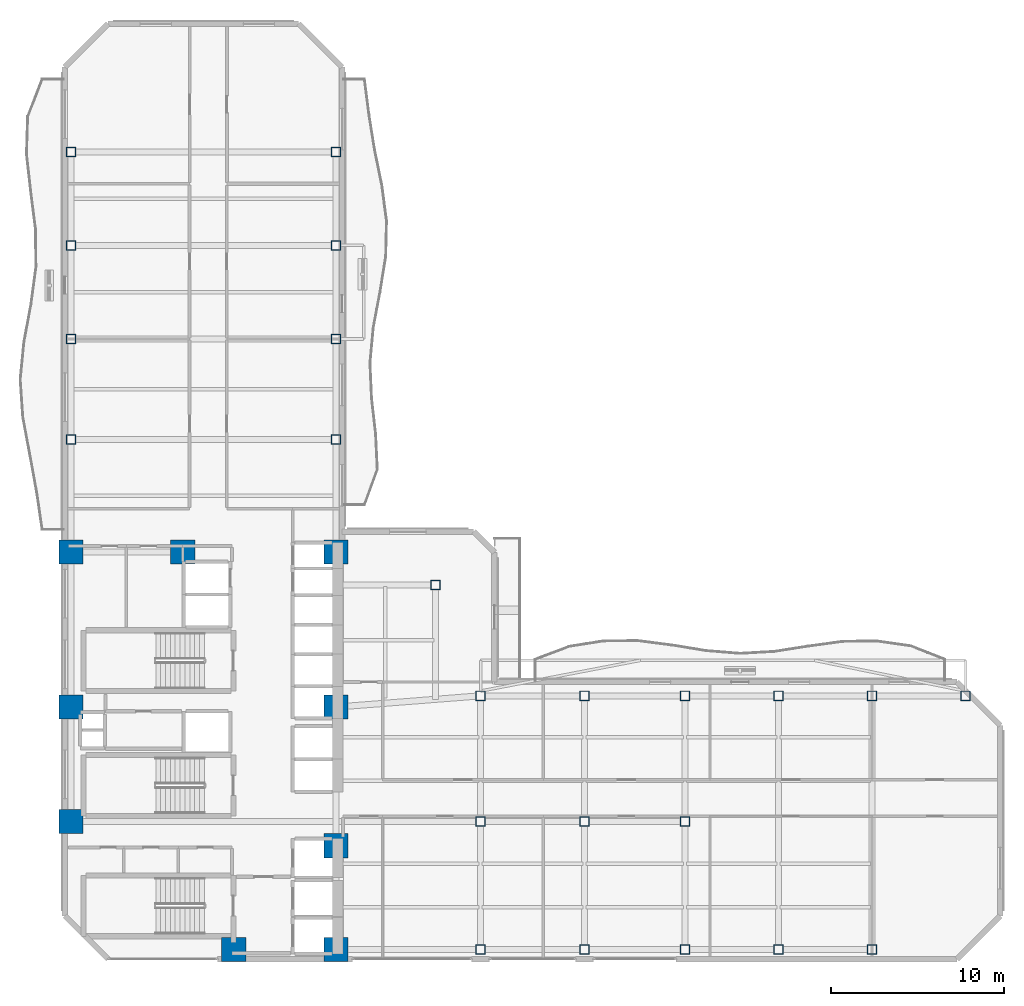
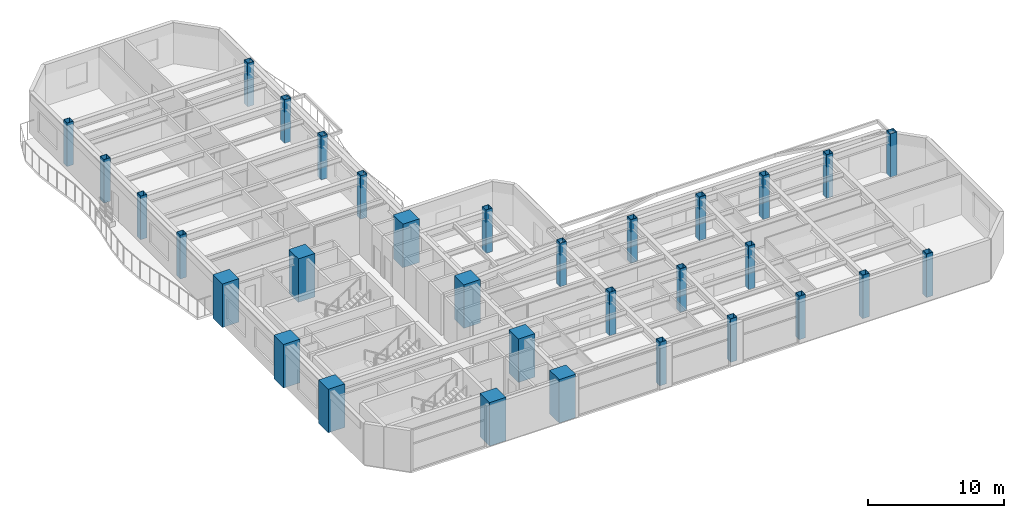
# One storey, part 1 of 17: 32 columns.
"""IFC4 building model written with IfcOpenShell, lengths in metres."""

from ifc_helpers import new_model, si_unit, direction, frame, origin, origin_2d, place, context, subcontext, project, spatial, rectangle, hollow_rectangle, extrude, material, material_profile, profile_set, type_object, element, save


model = new_model("IFC4")

# Units and contexts
model_context = context("Model", 3, precision=1e-05, world=origin(), true_north=direction((0.0, 1.0)))
body_context = subcontext(model_context, "Body", "Model", "MODEL_VIEW")
ifc_project = project(units=[si_unit("LENGTHUNIT", "METRE"), si_unit("AREAUNIT", "SQUARE_METRE"), si_unit("VOLUMEUNIT", "CUBIC_METRE"), si_unit("PLANEANGLEUNIT", "RADIAN"), si_unit("MASSUNIT", "GRAM", prefix="KILO")], contexts=[model_context])

# Site, building, storey
site_placement = place(None, origin())
site = spatial("IfcSite", under=ifc_project, at=site_placement, CompositionType="ELEMENT")
building_placement = place(site_placement, origin())
building = spatial("IfcBuilding", under=site, at=building_placement, Name="Mawjaban Terraces University", CompositionType="ELEMENT")
storey_placement = place(building_placement, frame((0.0, 0.0, 85.60009765625)))
storey = spatial("IfcBuildingStorey", under=building, at=storey_placement, Name="L20", CompositionType="ELEMENT", Elevation=85.60009765625)

# Columns
ifc_material_1 = material(Name="Concrete C70/85", Category="concrete")
ifc_material_profile_1 = material_profile(ifc_material_1, rectangle(XDim=1.39990234375, YDim=1.39990234375, at=origin_2d()), Name="RC1400X1400")
ifc_profile_set_1 = profile_set([ifc_material_profile_1], Name="Concrete C70/85")
column_type_1 = type_object("IfcColumnType", Name="Col_RC1400X1400", PredefinedType="COLUMN", material=ifc_profile_set_1)
for number, where, z_axis, x_axis, name in (
    (1, (31.75, 0.550048828125, 0.0), (0.0, 0.0, 1.0), (1.0, 0.0, 0.0), "L20 Column CC2"),
    (2, (37.64990234375, 0.550048828125, 0.0), (0.0, 0.0, 1.0), (1.0, 0.0, 0.0), "L20 Column CC3"),
    (3, (22.35009765625, 7.949951171875, 0.0), (0.0, 0.0, 1.0), (1.0, 0.0, 0.0), "L20 Column CC4"),
    (4, (37.64990234375, 6.550048828125, 0.0), (0.0, 0.0, 1.0), (1.0, 0.0, 0.0), "L20 Column CC5"),
    (5, (22.35009765625, 14.550048828125, 0.0), (0.0, 0.0, 1.0), (1.0, 0.0, 0.0), "L20 Column CC6"),
    (6, (37.64990234375, 14.550048828125, 0.0), (0.0, 0.0, 1.0), (1.0, 0.0, 0.0), "L20 Column CC7"),
    (7, (22.35009765625, 23.5, 0.0), (0.0, 0.0, 1.0), (1.0, 0.0, 0.0), "L20 Column CC8"),
    (8, (28.800048828125, 23.5, 0.0), (0.0, 0.0, 1.0), (1.0, 0.0, 0.0), "L20 Column CC9"),
    (9, (37.64990234375, 23.5, 0.0), (0.0, 0.0, 1.0), (1.0, 0.0, 0.0), "L20 Column CC10"),
):
    element("IfcColumn", number, at=place(storey_placement, frame(where, z_axis=z_axis, x_axis=x_axis)), inside=storey, type_object=column_type_1, Name=name, PredefinedType="COLUMN", context=body_context, shape_type="SweptSolid", body=[
        extrude(rectangle(XDim=1.39990234375, YDim=1.39990234375, at=origin_2d()), origin(), (0.0, 0.0, 1.0), 3.89990234375),
    ])
ifc_material_2 = material(Name="Steel EN 10210-1 S355J2H", Category="steel")
ifc_material_profile_2 = material_profile(ifc_material_2, hollow_rectangle(XDim=0.550048828125, YDim=0.550048828125, WallThickness=0.02490234375, at=origin_2d()), Name="SHS550X550X25")
ifc_profile_set_2 = profile_set([ifc_material_profile_2], Name="Steel EN 10210-1 S355J2H")
column_type_2 = type_object("IfcColumnType", Name="Col_SHS550X550X25", PredefinedType="COLUMN", material=ifc_profile_set_2)
for number, where, z_axis, x_axis, name in (
    (10, (46.0, 0.550048828125, 0.0), (0.0, 0.0, 1.0), (1.0, 0.0, 0.0), "L20 Column TE-460-005"),
    (11, (46.0, 7.949951171875, 0.0), (0.0, 0.0, 1.0), (1.0, 0.0, 0.0), "L20 Column TE-460-080"),
    (12, (46.0, 15.199951171875, 0.0), (0.0, 0.0, 1.0), (1.0, 0.0, 0.0), "L20 Column TE-460-152"),
    (13, (52.0, 0.550048828125, 0.0), (0.0, 0.0, 1.0), (1.0, 0.0, 0.0), "L20 Column TE-520-005"),
    (14, (52.0, 7.949951171875, 0.0), (0.0, 0.0, 1.0), (1.0, 0.0, 0.0), "L20 Column TE-520-080"),
    (15, (52.0, 15.199951171875, 0.0), (0.0, 0.0, 1.0), (1.0, 0.0, 0.0), "L20 Column TE-520-152"),
    (16, (57.800048828125, 0.550048828125, 0.0), (0.0, 0.0, 1.0), (1.0, 0.0, 0.0), "L20 Column TE-578-005"),
    (17, (57.800048828125, 7.949951171875, 0.0), (0.0, 0.0, 1.0), (1.0, 0.0, 0.0), "L20 Column TE-578-080"),
    (18, (57.800048828125, 15.199951171875, 0.0), (0.0, 0.0, 1.0), (1.0, 0.0, 0.0), "L20 Column TE-578-152"),
    (19, (63.199951171875, 0.550048828125, 0.0), (0.0, 0.0, 1.0), (1.0, 0.0, 0.0), "L20 Column TE-632-005"),
    (20, (63.199951171875, 15.199951171875, 0.0), (0.0, 0.0, 1.0), (1.0, 0.0, 0.0), "L20 Column TE-632-152"),
    (21, (68.60009765625, 0.550048828125, 0.0), (0.0, 0.0, 1.0), (1.0, 0.0, 0.0), "L20 Column TE-686-005"),
    (22, (68.60009765625, 15.199951171875, 0.0), (0.0, 0.0, 1.0), (1.0, 0.0, 0.0), "L20 Column TE-686-152"),
    (23, (74.0, 15.199951171875, 0.0), (0.0, 0.0, 1.0), (1.0, 0.0, 0.0), "L20 Column TE-740-152"),
    (24, (22.35009765625, 30.0, 0.0), (0.0, 0.0, 1.0), (1.0, 0.0, 0.0), "L20 Column TN-223-300"),
    (25, (37.64990234375, 30.0, 0.0), (0.0, 0.0, 1.0), (1.0, 0.0, 0.0), "L20 Column TN-376-300"),
    (26, (22.35009765625, 35.800048828125, 0.0), (0.0, 0.0, 1.0), (1.0, 0.0, 0.0), "L20 Column TN-223-358"),
    (27, (37.64990234375, 35.800048828125, 0.0), (0.0, 0.0, 1.0), (1.0, 0.0, 0.0), "L20 Column TN-376-358"),
    (28, (22.35009765625, 41.199951171875, 0.0), (0.0, 0.0, 1.0), (1.0, 0.0, 0.0), "L20 Column TN-223-412"),
    (29, (37.64990234375, 41.199951171875, 0.0), (0.0, 0.0, 1.0), (1.0, 0.0, 0.0), "L20 Column TN-376-412"),
    (30, (22.35009765625, 46.60009765625, 0.0), (0.0, 0.0, 1.0), (1.0, 0.0, 0.0), "L20 Column TN-223-466"),
    (31, (37.64990234375, 46.60009765625, 0.0), (0.0, 0.0, 1.0), (1.0, 0.0, 0.0), "L20 Column TN-376-466"),
    (32, (43.39990234375, 21.60009765625, 0.0), (0.0, 0.0, 1.0), (1.0, 0.0, 0.0), "L20 Column TS-434-216"),
):
    element("IfcColumn", number, at=place(storey_placement, frame(where, z_axis=z_axis, x_axis=x_axis)), inside=storey, type_object=column_type_2, Name=name, PredefinedType="COLUMN", context=body_context, shape_type="SweptSolid", body=[
        extrude(hollow_rectangle(XDim=0.550048828125, YDim=0.550048828125, WallThickness=0.02490234375, at=origin_2d()), origin(), (0.0, 0.0, 1.0), 3.89990234375),
    ])

save(model, "model.ifc")
